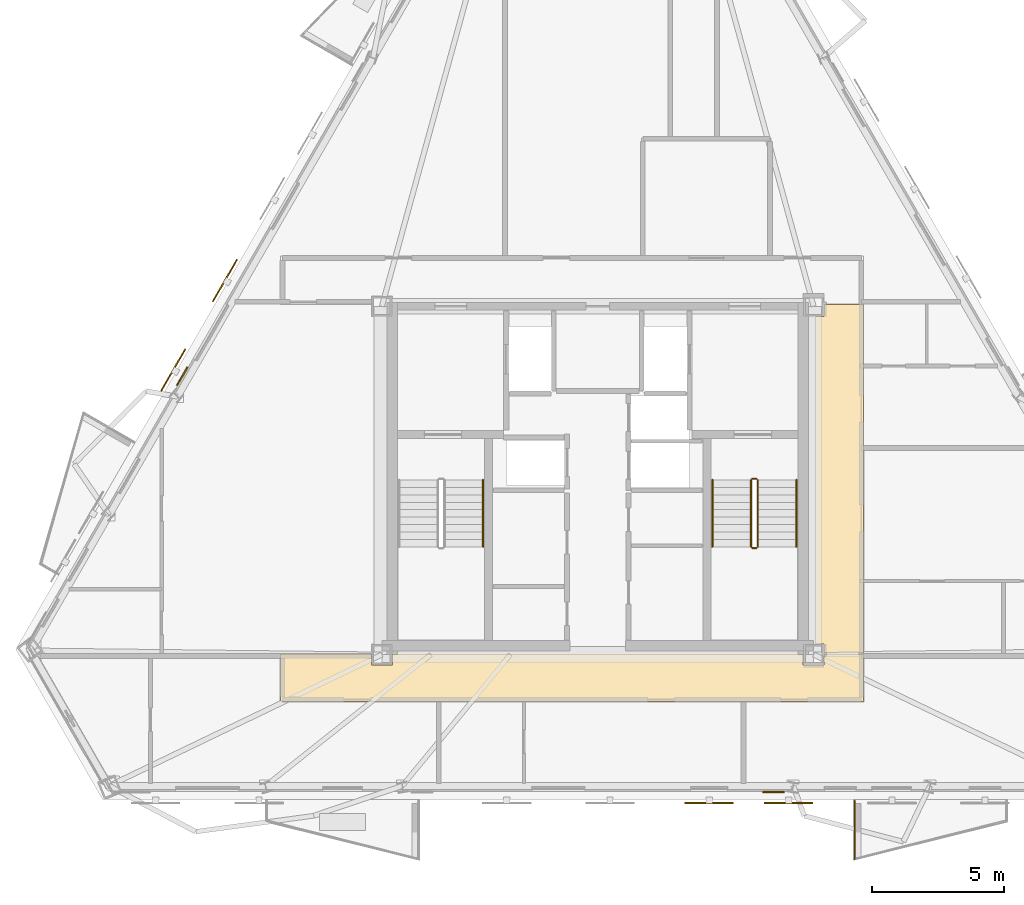
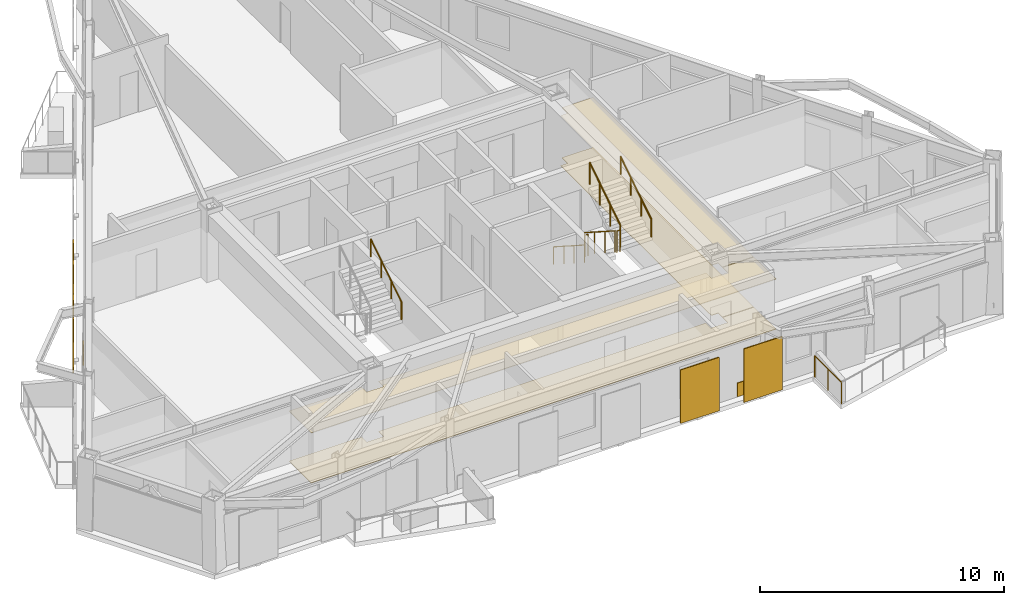
# One storey, part 8 of 9: 8 railings, 6 coverings, 4 shading devices.
"""IFC4 building model written with IfcOpenShell, lengths in metres."""

from ifc_helpers import new_model, si_unit, direction, frame, origin, origin_2d, place, context, subcontext, project, spatial, polyline, rectangle, circle, outline, extrude, material, layer, layer_set, type_object, element, save


model = new_model("IFC4")

# Units and contexts
model_context = context("Model", 3, precision=1e-05, world=origin(), true_north=direction((0.0, 1.0)))
body_context = subcontext(model_context, "Body", "Model", "MODEL_VIEW")
ifc_project = project(units=[si_unit("LENGTHUNIT", "METRE"), si_unit("AREAUNIT", "SQUARE_METRE"), si_unit("VOLUMEUNIT", "CUBIC_METRE"), si_unit("PLANEANGLEUNIT", "RADIAN"), si_unit("MASSUNIT", "GRAM", prefix="KILO")], contexts=[model_context])

# Site, building, storey
site_placement = place(None, origin())
site = spatial("IfcSite", under=ifc_project, at=site_placement, CompositionType="ELEMENT")
building_placement = place(site_placement, origin())
building = spatial("IfcBuilding", under=site, at=building_placement, Name="Oramaril Tower", CompositionType="ELEMENT")
storey_placement = place(building_placement, frame((0.0, 0.0, 234.300048828125)))
storey = spatial("IfcBuildingStorey", under=building, at=storey_placement, Name="L62", CompositionType="ELEMENT", Elevation=234.300048828125)

# Coverings
ifc_material_1 = material(Name="Mineral Fibre Acoustic Ceiling")
ifc_layer_1 = layer(ifc_material_1, 0.02001953125)
ifc_layer_set_1 = layer_set([ifc_layer_1], Name="CVT-CEIL")
covering_type_1 = type_object("IfcCoveringType", Name="CVT-CEIL", PredefinedType="CEILING", material=ifc_layer_set_1)
covering_1_placement = place(storey_placement, frame((0.0, 0.0, 2.511962890625)))
element("IfcCovering", 1, at=covering_1_placement, inside=storey, type_object=covering_type_1, Name="L62 Acoustic Suspended Ceiling 1", PredefinedType="CEILING", context=body_context, shape_type="SweptSolid", body=[
    extrude(outline(polyline([(28.955078125, 10.60498046875), (29.7451171875, 10.60498046875), (29.7451171875, 11.030029296875), (45.2548828125, 11.030029296875), (45.2548828125, 10.60498046875), (46.044921875, 10.60498046875), (46.044921875, 11.030029296875), (47.530029296875, 11.030029296875), (47.530029296875, 9.219970703125), (25.52001953125, 9.219970703125), (25.52001953125, 11.030029296875), (28.955078125, 11.030029296875), (28.955078125, 10.60498046875)])), origin(), (0.0, 0.0, 1.0), 0.02001953125),
])
covering_2_placement = place(storey_placement, frame((0.0, 0.0, 2.511962890625)))
element("IfcCovering", 2, at=covering_2_placement, inside=storey, type_object=covering_type_1, Name="L62 Acoustic Suspended Ceiling 3", PredefinedType="CEILING", context=body_context, shape_type="SweptSolid", body=[
    extrude(outline(polyline([(47.530029296875, 11.050048828125), (46.044921875, 11.050048828125), (46.044921875, 11.39501953125), (45.719970703125, 11.39501953125), (45.719970703125, 23.7548828125), (46.044921875, 23.7548828125), (46.044921875, 24.219970703125), (47.530029296875, 24.219970703125), (47.530029296875, 11.050048828125)])), origin(), (0.0, 0.0, 1.0), 0.02001953125),
])
ifc_material_2 = material(Name="Warm Cream Limestone", Category="masonry")
ifc_layer_2 = layer(ifc_material_2, 0.050048828125)
ifc_layer_set_2 = layer_set([ifc_layer_2], Name="CVT-CLD")
covering_type_2 = type_object("IfcCoveringType", Name="CVT-CLD", PredefinedType="CLADDING", material=ifc_layer_set_2)
for number, where, z_axis, x_axis, name in (
    (3, (44.132568359375, 5.810302734375, 0.0400390625), (0.0, 0.0, 1.0), (1.0, 0.0, 0.0), "L62 Warm Cream Limestone Spandrel Cladding"),
    (4, (21.80859375, 21.500732421875, 0.0400390625), (0.0, 0.0, 1.0), (-0.4999984885, -0.866026276448, 0.0), "L62 Warm Cream Limestone Spandrel Cladding"),
):
    element("IfcCovering", number, at=place(storey_placement, frame(where, z_axis=z_axis, x_axis=x_axis)), inside=storey, type_object=covering_type_2, Name=name, PredefinedType="CLADDING", context=body_context, shape_type="SweptSolid", body=[
        extrude(rectangle(XDim=0.800048828125, YDim=0.050048828125, at=origin_2d()), origin(), (0.0, 0.0, 1.0), 0.679931640625),
    ])
ifc_material_3 = material(Name="Honed Quartzite Stone Flooring", Category="masonry")
ifc_layer_3 = layer(ifc_material_3, 0.02490234375)
ifc_layer_set_3 = layer_set([ifc_layer_3], Name="CVT-FLR")
covering_type_3 = type_object("IfcCoveringType", Name="CVT-FLR", PredefinedType="FLOORING", material=ifc_layer_set_3)
covering_3_placement = place(storey_placement, origin())
element("IfcCovering", 5, at=covering_3_placement, inside=storey, type_object=covering_type_3, Name="L62 Honed Stone Floor Finish 1", PredefinedType="FLOORING", context=body_context, shape_type="SweptSolid", body=[
    extrude(outline(polyline([(28.955078125, 10.60498046875), (29.7451171875, 10.60498046875), (29.7451171875, 11.030029296875), (45.2548828125, 11.030029296875), (45.2548828125, 10.60498046875), (46.044921875, 10.60498046875), (46.044921875, 11.030029296875), (47.530029296875, 11.030029296875), (47.530029296875, 9.219970703125), (25.52001953125, 9.219970703125), (25.52001953125, 11.030029296875), (28.955078125, 11.030029296875), (28.955078125, 10.60498046875)])), origin(), (0.0, 0.0, 1.0), 0.02490234375),
])
covering_4_placement = place(storey_placement, origin())
element("IfcCovering", 6, at=covering_4_placement, inside=storey, type_object=covering_type_3, Name="L62 Honed Stone Floor Finish 3", PredefinedType="FLOORING", context=body_context, shape_type="SweptSolid", body=[
    extrude(outline(polyline([(47.530029296875, 11.050048828125), (46.044921875, 11.050048828125), (46.044921875, 11.39501953125), (45.719970703125, 11.39501953125), (45.719970703125, 23.7548828125), (46.044921875, 23.7548828125), (46.044921875, 24.219970703125), (47.530029296875, 24.219970703125), (47.530029296875, 11.050048828125)])), origin(), (0.0, 0.0, 1.0), 0.02490234375),
])

# Railings
ifc_material_4 = material(Name="Stainless Steel 316L", Category="steel")
railing_type_1 = type_object("IfcRailingType", Name="RLT-GRD", PredefinedType="GUARDRAIL", material=ifc_material_4)
railing_1_placement = place(storey_placement, frame((47.199462890625, 3.2783203125, 0.0)))
element("IfcRailing", 7, at=railing_1_placement, inside=storey, type_object=railing_type_1, Name="L62 Balcony Guardrail L62-BAL-S2.3", PredefinedType="GUARDRAIL", context=body_context, shape_type="SweptSolid", body=[
    extrude(circle(Radius=0.02392578125, at=origin_2d()), frame((0.0, 0.0, 1.076171875), z_axis=(0.0, 1.0, 0.0), x_axis=(-1.0, 0.0, 0.0)), (0.0, 0.0, 1.0), 2.192138671875),
    extrude(circle(Radius=0.02099609375, at=origin_2d()), origin(), (0.0, 0.0, 1.0), 1.052001953125),
    extrude(circle(Radius=0.02099609375, at=origin_2d()), frame((0.0, 1.09619140625, 0.0)), (0.0, 0.0, 1.0), 1.052001953125),
    extrude(circle(Radius=0.02099609375, at=origin_2d()), frame((0.0, 2.192138671875, 0.0)), (0.0, 0.0, 1.0), 1.052001953125),
])
railing_2_placement = place(storey_placement, frame((43.2900390625, 17.590087890625, 0.179931640625)))
element("IfcRailing", 8, at=railing_2_placement, inside=storey, type_object=railing_type_1, Name="L62 ST-2 stair guard 1", PredefinedType="GUARDRAIL", context=body_context, shape_type="SweptSolid", body=[
    extrude(circle(Radius=0.02392578125, at=origin_2d()), frame((0.0, 0.0, 1.076171875), z_axis=(0.0, -0.841162588446, 0.540782303519), x_axis=(1.0, 0.0, 0.0)), (0.0, 0.0, 1.0), 2.995849609375),
    extrude(circle(Radius=0.02099609375, at=origin_2d()), origin(), (0.0, 0.0, 1.0), 1.052001953125),
    extrude(circle(Radius=0.02099609375, at=origin_2d()), frame((0.0, -0.840087890625, 0.5400390625)), (0.0, 0.0, 1.0), 1.052001953125),
    extrude(circle(Radius=0.02099609375, at=origin_2d()), frame((0.0, -1.679931640625, 1.080078125)), (0.0, 0.0, 1.0), 1.052001953125),
    extrude(circle(Radius=0.02099609375, at=origin_2d()), frame((0.0, -2.52001953125, 1.6201171875)), (0.0, 0.0, 1.0), 1.052001953125),
])
railing_3_placement = place(storey_placement, frame((43.340087890625, 15.02001953125, 1.800048828125)))
element("IfcRailing", 9, at=railing_3_placement, inside=storey, type_object=railing_type_1, Name="L62 ST-2 stair guard 2", PredefinedType="GUARDRAIL", context=body_context, shape_type="SweptSolid", body=[
    extrude(circle(Radius=0.02392578125, at=origin_2d()), frame((0.0, 0.0, 1.076171875), z_axis=(1.0, 0.0, 0.0), x_axis=(0.0, 1.0, 0.0)), (0.0, 0.0, 1.0), 0.14990234375),
    extrude(circle(Radius=0.02099609375, at=origin_2d()), origin(), (0.0, 0.0, 1.0), 1.052001953125),
    extrude(circle(Radius=0.02099609375, at=origin_2d()), frame((0.14990234375, 0.0, 0.0)), (0.0, 0.0, 1.0), 1.052001953125),
])
railing_4_placement = place(storey_placement, frame((43.5400390625, 15.070068359375, 1.97998046875)))
element("IfcRailing", 10, at=railing_4_placement, inside=storey, type_object=railing_type_1, Name="L62 ST-2 stair guard 3", PredefinedType="GUARDRAIL", context=body_context, shape_type="SweptSolid", body=[
    extrude(circle(Radius=0.02392578125, at=origin_2d()), frame((0.0, 0.0, 1.076171875), z_axis=(0.0, 0.841199657755, 0.540724639528), x_axis=(-1.0, 0.0, 0.0)), (0.0, 0.0, 1.0), 2.995849609375),
    extrude(circle(Radius=0.02099609375, at=origin_2d()), origin(), (0.0, 0.0, 1.0), 1.052001953125),
    extrude(circle(Radius=0.02099609375, at=origin_2d()), frame((0.0, 0.840087890625, 0.5400390625)), (0.0, 0.0, 1.0), 1.052001953125),
    extrude(circle(Radius=0.02099609375, at=origin_2d()), frame((0.0, 1.679931640625, 1.079833984375)), (0.0, 0.0, 1.0), 1.052001953125),
    extrude(circle(Radius=0.02099609375, at=origin_2d()), frame((0.0, 2.52001953125, 1.619873046875)), (0.0, 0.0, 1.0), 1.052001953125),
])
railing_5_placement = place(storey_placement, frame((43.340087890625, 17.639892578125, 0.0)))
element("IfcRailing", 11, at=railing_5_placement, inside=storey, type_object=railing_type_1, Name="L62 ST-2 stair guard 4", PredefinedType="GUARDRAIL", context=body_context, shape_type="SweptSolid", body=[
    extrude(circle(Radius=0.02392578125, at=origin_2d()), frame((0.0, 0.0, 1.076171875), z_axis=(1.0, 0.0, 0.0), x_axis=(0.0, 1.0, 0.0)), (0.0, 0.0, 1.0), 0.14990234375),
    extrude(circle(Radius=0.02099609375, at=origin_2d()), origin(), (0.0, 0.0, 1.0), 1.052001953125),
    extrude(circle(Radius=0.02099609375, at=origin_2d()), frame((0.14990234375, 0.0, 0.0)), (0.0, 0.0, 1.0), 1.052001953125),
])
ifc_material_5 = material(Name="Stainless Steel 316L", Category="steel")
railing_type_2 = type_object("IfcRailingType", Name="RLT-HND", PredefinedType="HANDRAIL", material=ifc_material_5)
railing_6_placement = place(storey_placement, frame((33.169921875, 15.070068359375, 1.97998046875)))
element("IfcRailing", 12, at=railing_6_placement, inside=storey, type_object=railing_type_2, Name="L62 ST-1 stair handrail 2", PredefinedType="HANDRAIL", context=body_context, shape_type="SweptSolid", body=[
    extrude(circle(Radius=0.02392578125, at=origin_2d()), frame((0.0, 0.0, 0.8759765625), z_axis=(0.0, 0.841199657755, 0.540724639528), x_axis=(-1.0, 0.0, 0.0)), (0.0, 0.0, 1.0), 2.995849609375),
    extrude(circle(Radius=0.02099609375, at=origin_2d()), origin(), (0.0, 0.0, 1.0), 0.851806640625),
    extrude(circle(Radius=0.02099609375, at=origin_2d()), frame((0.0, 0.840087890625, 0.5400390625)), (0.0, 0.0, 1.0), 0.851806640625),
    extrude(circle(Radius=0.02099609375, at=origin_2d()), frame((0.0, 1.679931640625, 1.079833984375)), (0.0, 0.0, 1.0), 0.851806640625),
    extrude(circle(Radius=0.02099609375, at=origin_2d()), frame((0.0, 2.52001953125, 1.619873046875)), (0.0, 0.0, 1.0), 0.851806640625),
])
railing_7_placement = place(storey_placement, frame((41.830078125, 17.590087890625, 0.179931640625)))
element("IfcRailing", 13, at=railing_7_placement, inside=storey, type_object=railing_type_2, Name="L62 ST-2 stair handrail 1", PredefinedType="HANDRAIL", context=body_context, shape_type="SweptSolid", body=[
    extrude(circle(Radius=0.02392578125, at=origin_2d()), frame((0.0, 0.0, 0.8759765625), z_axis=(0.0, -0.841162588446, 0.540782303519), x_axis=(1.0, 0.0, 0.0)), (0.0, 0.0, 1.0), 2.995849609375),
    extrude(circle(Radius=0.02099609375, at=origin_2d()), origin(), (0.0, 0.0, 1.0), 0.851806640625),
    extrude(circle(Radius=0.02099609375, at=origin_2d()), frame((0.0, -0.840087890625, 0.5400390625)), (0.0, 0.0, 1.0), 0.851806640625),
    extrude(circle(Radius=0.02099609375, at=origin_2d()), frame((0.0, -1.679931640625, 1.080078125)), (0.0, 0.0, 1.0), 0.851806640625),
    extrude(circle(Radius=0.02099609375, at=origin_2d()), frame((0.0, -2.52001953125, 1.6201171875)), (0.0, 0.0, 1.0), 0.851806640625),
])
railing_8_placement = place(storey_placement, frame((45.0, 15.070068359375, 1.97998046875)))
element("IfcRailing", 14, at=railing_8_placement, inside=storey, type_object=railing_type_2, Name="L62 ST-2 stair handrail 2", PredefinedType="HANDRAIL", context=body_context, shape_type="SweptSolid", body=[
    extrude(circle(Radius=0.02392578125, at=origin_2d()), frame((0.0, 0.0, 0.8759765625), z_axis=(0.0, 0.841199657755, 0.540724639528), x_axis=(-1.0, 0.0, 0.0)), (0.0, 0.0, 1.0), 2.995849609375),
    extrude(circle(Radius=0.02099609375, at=origin_2d()), origin(), (0.0, 0.0, 1.0), 0.851806640625),
    extrude(circle(Radius=0.02099609375, at=origin_2d()), frame((0.0, 0.840087890625, 0.5400390625)), (0.0, 0.0, 1.0), 0.851806640625),
    extrude(circle(Radius=0.02099609375, at=origin_2d()), frame((0.0, 1.679931640625, 1.079833984375)), (0.0, 0.0, 1.0), 0.851806640625),
    extrude(circle(Radius=0.02099609375, at=origin_2d()), frame((0.0, 2.52001953125, 1.619873046875)), (0.0, 0.0, 1.0), 0.851806640625),
])

# Shading devices
for number, where, z_axis, x_axis, name in (
    (15, (41.7060546875, 5.3984375, -0.02001953125), (0.0, 0.0, 1.0), (1.0, 0.0, 0.0), "L62 Perforated Ceramic Solar Screen"),
    (16, (44.708251953125, 5.3984375, -0.02001953125), (0.0, 0.0, 1.0), (1.0, 0.0, 0.0), "L62 Perforated Ceramic Solar Screen"),
    (17, (23.423583984375, 25.1220703125, -0.02001953125), (0.0, 0.0, 1.0), (-0.4999984885, -0.866026276448, 0.0), "L62 Perforated Ceramic Solar Screen"),
    (18, (21.4736328125, 21.74462890625, -0.02001953125), (0.0, 0.0, 1.0), (-0.4999984885, -0.866026276448, 0.0), "L62 Perforated Ceramic Solar Screen"),
):
    element("IfcShadingDevice", number, at=place(storey_placement, frame(where, z_axis=z_axis, x_axis=x_axis)), inside=storey, Name=name, ObjectType="SCREEN", PredefinedType="USERDEFINED", context=body_context, shape_type="SweptSolid", body=[
        extrude(rectangle(XDim=1.8330078125, YDim=0.050048828125, at=origin_2d()), origin(), (0.0, 0.0, 1.0), 2.677001953125),
    ])

save(model, "model.ifc")
